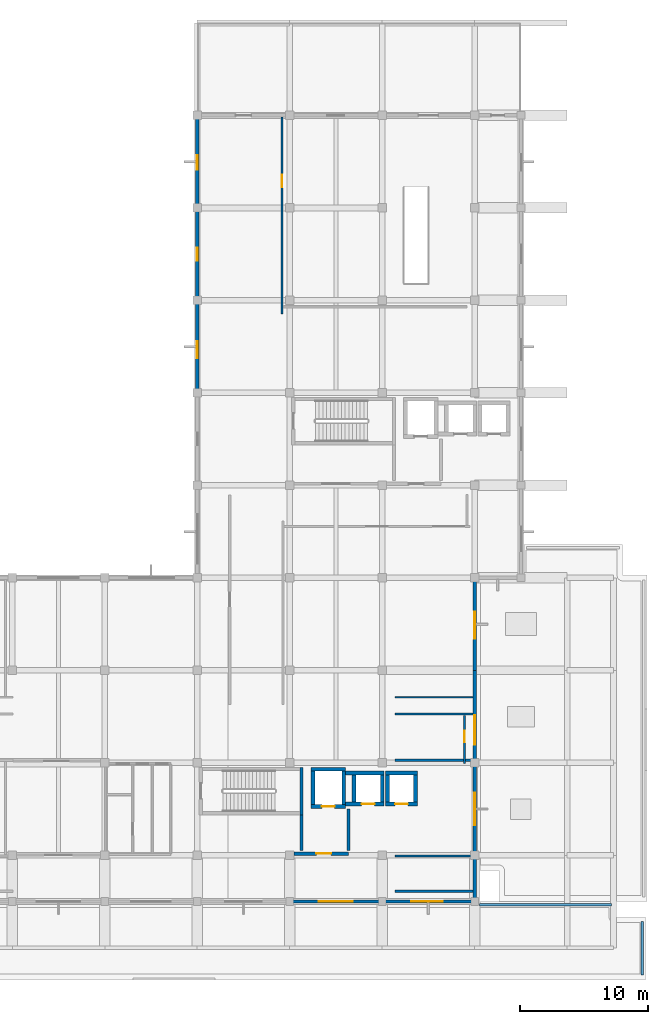
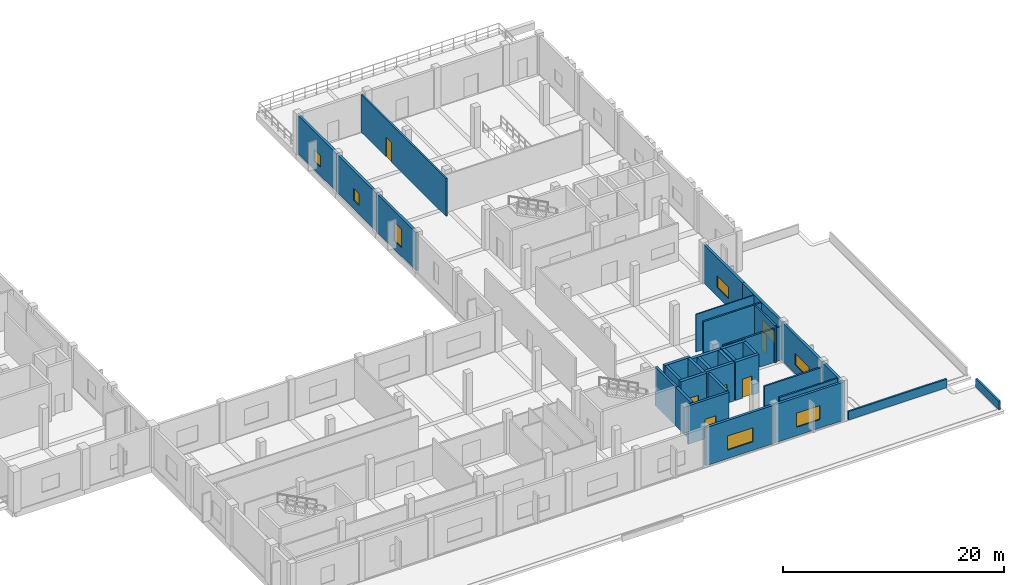
# One storey, part 7 of 16: 34 walls, 8 windows, 6 doors, 14 openings.
"""IFC4 building model written with IfcOpenShell, lengths in metres."""

import ifcopenshell
import ifcopenshell.guid

model = None  # the IFC model being written
_history = None  # IfcOwnerHistory: only IFC2X3 demands one
_inside = {}  # id of a spatial element -> (the spatial element, [elements in it])
_under = {}  # id of a project, library or spatial element -> (it, [spatial elements below it])
_declared = {}  # id of a project -> (the project, [libraries it declares])
_typed = {}  # id of a type object -> (the type object, [elements of that type])
_made_of = {}  # id of a material, layer set ... -> (it, [elements and type objects made of it])


def new_model(schema):
    """Start an empty IFC model of exactly this schema.

    Asked for "IFC4X3", IfcOpenShell would pick the latest addendum, in which some entities
    have other attributes; the version numbers below select the first issue.
    IFC2X3 requires an IfcOwnerHistory on every rooted entity: one is made here for all.
    """
    global model, _history
    if schema == "IFC4X3":
        model = ifcopenshell.file(schema_version=(4, 3, 0, 0))
    else:
        model = ifcopenshell.file(schema=schema)
    _inside.clear()
    _under.clear()
    _declared.clear()
    _typed.clear()
    _made_of.clear()
    _history = None
    if model.schema == "IFC2X3":
        org = make("IfcOrganization", Name="unknown")
        user = make(
            "IfcPersonAndOrganization",
            ThePerson=make("IfcPerson", FamilyName="unknown"),
            TheOrganization=org,
        )
        app = make(
            "IfcApplication",
            ApplicationDeveloper=org,
            Version="unknown",
            ApplicationFullName="unknown",
            ApplicationIdentifier="unknown",
        )
        _history = make(
            "IfcOwnerHistory",
            OwningUser=user,
            OwningApplication=app,
            ChangeAction="ADDED",
            CreationDate=0,
        )
    return model


def make(cls, **values):
    """One entity of the class cls with the attributes given. An attribute that is None is left unset."""
    return model.create_entity(
        cls, **{name: value for name, value in values.items() if value is not None}
    )


def rooted(cls, **values):
    """An entity with a GlobalId (a new one), such as an element, a storey or a relation."""
    return make(cls, GlobalId=ifcopenshell.guid.new(), OwnerHistory=_history, **values)


def si_unit(unit_type, name, prefix=None):
    """IfcSIUnit, for example si_unit("LENGTHUNIT", "METRE", prefix="MILLI")."""
    return make("IfcSIUnit", UnitType=unit_type, Prefix=prefix, Name=name)


def assignment(units):
    """IfcUnitAssignment: the units of a project."""
    return None if units is None else make("IfcUnitAssignment", Units=units)


def point(xyz):
    """IfcCartesianPoint."""
    return None if xyz is None else make("IfcCartesianPoint", Coordinates=xyz)


def direction(xyz):
    """IfcDirection."""
    return None if xyz is None else make("IfcDirection", DirectionRatios=xyz)


def frame(location, z_axis=None, x_axis=None):
    """IfcAxis2Placement3D, a coordinate frame: its origin and axes. An axis left out is left unset."""
    return make(
        "IfcAxis2Placement3D",
        Location=point(location),
        Axis=direction(z_axis),
        RefDirection=direction(x_axis),
    )


def frame_2d(location, x_axis=None):
    """IfcAxis2Placement2D, a coordinate frame in the plane: its origin and x axis."""
    return make(
        "IfcAxis2Placement2D", Location=point(location), RefDirection=direction(x_axis)
    )


def origin():
    """The frame at (0, 0, 0) with its axes left unset."""
    return frame((0.0, 0.0, 0.0))


def place(relative_to, where):
    """IfcLocalPlacement: puts the frame where relative to a parent placement (None: the world)."""
    return make(
        "IfcLocalPlacement", PlacementRelTo=relative_to, RelativePlacement=where
    )


def context(
    kind, dimensions, precision=None, world=None, true_north=None, identifier=None
):
    """IfcGeometricRepresentationContext, for example the 3D "Model" context."""
    return make(
        "IfcGeometricRepresentationContext",
        ContextIdentifier=identifier,
        ContextType=kind,
        CoordinateSpaceDimension=dimensions,
        Precision=precision,
        WorldCoordinateSystem=world,
        TrueNorth=true_north,
    )


def subcontext(parent, identifier, kind, view, scale=None):
    """IfcGeometricRepresentationSubContext, for example "Body" below "Model"."""
    return make(
        "IfcGeometricRepresentationSubContext",
        ContextIdentifier=identifier,
        ContextType=kind,
        ParentContext=parent,
        TargetScale=scale,
        TargetView=view,
    )


def project(units=None, contexts=None):
    """IfcProject with its units and contexts."""
    return rooted(
        "IfcProject",
        Name="project",
        RepresentationContexts=contexts,
        UnitsInContext=assignment(units),
    )


def spatial(cls, under=None, at=None, **own):
    """A site, building, storey or space (cls), placed at a placement, below another one or the project."""
    s = rooted(cls, ObjectPlacement=at, **own)
    if under is not None:
        _under.setdefault(under.id(), (under, []))[1].append(s)
    return s


def profile(cls, at=None, kind="AREA", **sizes):
    """A parametric profile (cls). Its sizes go by their IFC names, for example OverallWidth=200.0."""
    return make(cls, ProfileType=kind, Position=at, **sizes)


def rectangle(**sizes):
    """IfcRectangleProfileDef."""
    return profile("IfcRectangleProfileDef", **sizes)


def extrude(swept, where, along, depth):
    """IfcExtrudedAreaSolid: the profile swept, set in the frame where, extruded along a direction by depth."""
    return make(
        "IfcExtrudedAreaSolid",
        SweptArea=swept,
        Position=where,
        ExtrudedDirection=direction(along),
        Depth=depth,
    )


def shape(context_of_items, identifier, shape_type, items):
    """IfcShapeRepresentation: the items that make up one representation, for example the "Body"."""
    return make(
        "IfcShapeRepresentation",
        ContextOfItems=context_of_items,
        RepresentationIdentifier=identifier,
        RepresentationType=shape_type,
        Items=items,
    )


def material(Name=None, Category=None):
    """IfcMaterial."""
    return make("IfcMaterial", Name=Name, Category=Category)


def layer(
    of_material, thickness, ventilated=None, Name=None, Category=None, Priority=None
):
    """IfcMaterialLayer: one layer of a wall or slab, of a material (None: an air gap)."""
    return make(
        "IfcMaterialLayer",
        Material=of_material,
        LayerThickness=thickness,
        IsVentilated=ventilated,
        Name=Name,
        Category=Category,
        Priority=Priority,
    )


def layer_set(layers, Name=None):
    """IfcMaterialLayerSet."""
    return make("IfcMaterialLayerSet", MaterialLayers=layers, LayerSetName=Name)


def made_of(thing, what):
    """Note that an element or type object is made of a material, layer set ...; save() writes the relation."""
    if what is not None:
        _made_of.setdefault(what.id(), (what, []))[1].append(thing)
    return thing


def type_object(cls, material=None, **own):
    """A type object (cls), such as IfcWallType, which elements share."""
    return made_of(rooted(cls, **own), material)


def element(
    cls,
    number,
    at=None,
    inside=None,
    cuts=None,
    type_object=None,
    material=None,
    context=None,
    identifier="Body",
    shape_type=None,
    held_by="IfcProductDefinitionShape",
    body=None,
    shapes=None,
    **own,
):
    """One element of the class cls, such as IfcWall. Its Tag is "e" and its number.

    at: its placement. inside: the storey or other place that contains it. cuts: it is an
    opening in that element (IfcRelVoidsElement). A single representation is given by context,
    identifier, shape_type and body (its items); several are given by shapes. held_by: the class
    of the entity that holds the representations. save() writes the other relations.
    """
    e = rooted(cls, Tag="e%d" % number, ObjectPlacement=at, **own)
    if body is not None:
        shapes = [shape(context, identifier, shape_type, body)]
    if shapes is not None:
        e.Representation = make(held_by, Representations=shapes)
    if inside is not None:
        _inside.setdefault(inside.id(), (inside, []))[1].append(e)
    if cuts is not None:
        rooted(
            "IfcRelVoidsElement", RelatingBuildingElement=cuts, RelatedOpeningElement=e
        )
    if type_object is not None:
        _typed.setdefault(type_object.id(), (type_object, []))[1].append(e)
    return made_of(e, material)


def fill(opening, filler):
    """IfcRelFillsElement: the door or window that sits in an opening."""
    return rooted(
        "IfcRelFillsElement",
        RelatingOpeningElement=opening,
        RelatedBuildingElement=filler,
    )


def aggregate(whole, parts):
    """IfcRelAggregates: a whole, such as a stair, and the parts it consists of."""
    return rooted("IfcRelAggregates", RelatingObject=whole, RelatedObjects=parts)


def save(model, path):
    """Write the relations noted so far, then the file.

    IfcRelAggregates (storeys below a building ...), IfcRelContainedInSpatialStructure (elements
    in a storey), IfcRelDefinesByType, IfcRelAssociatesMaterial and IfcRelDeclares: one each for
    every whole, place, type object, material and project.
    """
    for whole, parts in _under.values():
        aggregate(whole, parts)
    for where, things in _inside.values():
        rooted(
            "IfcRelContainedInSpatialStructure",
            RelatedElements=things,
            RelatingStructure=where,
        )
    for kind, things in _typed.values():
        rooted("IfcRelDefinesByType", RelatedObjects=things, RelatingType=kind)
    for what, things in _made_of.values():
        rooted("IfcRelAssociatesMaterial", RelatedObjects=things, RelatingMaterial=what)
    for by, libraries in _declared.values():
        rooted("IfcRelDeclares", RelatingContext=by, RelatedDefinitions=libraries)
    model.write(path)


model = new_model("IFC4")

# Units and contexts
model_context = context("Model", 3, precision=1e-05, world=origin(), true_north=direction((0.0, 1.0)))
body_context = subcontext(model_context, "Body", "Model", "MODEL_VIEW")
ifc_project = project(units=[si_unit("LENGTHUNIT", "METRE"), si_unit("AREAUNIT", "SQUARE_METRE"), si_unit("VOLUMEUNIT", "CUBIC_METRE"), si_unit("PLANEANGLEUNIT", "RADIAN"), si_unit("MASSUNIT", "GRAM", prefix="KILO")], contexts=[model_context])

# Site, building, storey
site_placement = place(None, origin())
site = spatial("IfcSite", under=ifc_project, at=site_placement, CompositionType="ELEMENT")
building_placement = place(site_placement, origin())
building = spatial("IfcBuilding", under=site, at=building_placement, Name="Seraya Terrace Polytechnic", CompositionType="ELEMENT")
storey_placement = place(building_placement, frame((0.0, 0.0, 23.39990234375)))
storey = spatial("IfcBuildingStorey", under=building, at=storey_placement, Name="L05", CompositionType="ELEMENT", Elevation=23.39990234375)

# Wall, opening, window
ifc_material_1 = material(Name="Precast concrete C40/50", Category="concrete")
ifc_layer_1 = layer(ifc_material_1, 0.260009765625, Name="EW-03")
ifc_layer_set_1 = layer_set([ifc_layer_1], Name="Precast concrete C40/50")
wall_type_1 = type_object("IfcWallType", Name="EW-03", PredefinedType="SOLIDWALL", material=ifc_layer_set_1)
wall_1_placement = place(storey_placement, frame((100.949951171875, 3.60009765625, 0.0), z_axis=(0.0, 0.0, 1.0), x_axis=(-1.0, 0.0, 0.0)))
wall_1 = element("IfcWall", 1, at=wall_1_placement, inside=storey, type_object=wall_type_1, Name="Exterior structural wall EW-03 L05", PredefinedType="SOLIDWALL", context=body_context, shape_type="SweptSolid", body=[
    extrude(rectangle(XDim=7.349853515625, YDim=0.260009765625, at=frame_2d((3.6748046875, 0.0))), origin(), (0.0, 0.0, 1.0), 4.22021484375),
])
opening_1_placement = place(wall_1_placement, frame((2.625, 0.0, 0.949951171875)))
opening_1 = element("IfcOpeningElement", 2, at=opening_1_placement, cuts=wall_1, Name="Opening WN-21", PredefinedType="OPENING", context=body_context, shape_type="SweptSolid", body=[
    extrude(rectangle(XDim=2.449951171875, YDim=1.550048828125, at=frame_2d((1.22509765625, 0.77490234375))), frame((0.0, 0.14208984375, 0.0), z_axis=(0.0, -1.0, 0.0), x_axis=(1.0, 0.0, 0.0)), (0.0, 0.0, 1.0), 0.283935546875),
])
ifc_material_2 = material(Name="Laminated solar-control Low-E double glazing", Category="glass")
window_type_1 = type_object("IfcWindowType", Name="WN-21", PartitioningType="SINGLE_PANEL", PredefinedType="WINDOW", material=ifc_material_2)
window_1_placement = place(opening_1_placement, origin())
window_1 = element("IfcWindow", 3, at=window_1_placement, inside=storey, type_object=window_type_1, Name="Exterior window WN-21 L05", OverallHeight=1.550048828125, OverallWidth=2.449951171875, PartitioningType="SINGLE_PANEL", PredefinedType="WINDOW", context=body_context, shape_type="SweptSolid", body=[
    extrude(rectangle(XDim=2.449951171875, YDim=1.550048828125, at=frame_2d((1.22509765625, 0.77490234375))), frame((0.0, 0.030029296875, 0.0), z_axis=(0.0, -1.0, 0.0), x_axis=(1.0, 0.0, 0.0)), (0.0, 0.0, 1.0), 0.06005859375),
])
fill(opening_1, window_1)

wall_2_placement = place(storey_placement, frame((93.60009765625, 3.60009765625, 0.0), z_axis=(0.0, 0.0, 1.0), x_axis=(-1.0, 0.0, 0.0)))
wall_2 = element("IfcWall", 4, at=wall_2_placement, inside=storey, type_object=wall_type_1, Name="Exterior structural wall EW-03 L05", PredefinedType="SOLIDWALL", context=body_context, shape_type="SweptSolid", body=[
    extrude(rectangle(XDim=7.2001953125, YDim=0.260009765625, at=frame_2d((3.60009765625, 0.0))), origin(), (0.0, 0.0, 1.0), 4.22021484375),
])
opening_2_placement = place(wall_2_placement, frame((2.27490234375, 0.0, 0.949951171875)))
opening_2 = element("IfcOpeningElement", 5, at=opening_2_placement, cuts=wall_2, Name="Opening WN-22", PredefinedType="OPENING", context=body_context, shape_type="SweptSolid", body=[
    extrude(rectangle(XDim=2.64990234375, YDim=1.550048828125, at=frame_2d((1.324951171875, 0.77490234375))), frame((0.0, 0.14208984375, 0.0), z_axis=(0.0, -1.0, 0.0), x_axis=(1.0, 0.0, 0.0)), (0.0, 0.0, 1.0), 0.283935546875),
])
window_type_2 = type_object("IfcWindowType", Name="WN-22", PartitioningType="SINGLE_PANEL", PredefinedType="WINDOW", material=ifc_material_2)
window_2_placement = place(opening_2_placement, origin())
window_2 = element("IfcWindow", 6, at=window_2_placement, inside=storey, type_object=window_type_2, Name="Exterior window WN-22 L05", OverallHeight=1.550048828125, OverallWidth=2.64990234375, PartitioningType="SINGLE_PANEL", PredefinedType="WINDOW", context=body_context, shape_type="SweptSolid", body=[
    extrude(rectangle(XDim=2.64990234375, YDim=1.550048828125, at=frame_2d((1.324951171875, 0.77490234375))), frame((0.0, 0.030029296875, 0.0), z_axis=(0.0, -1.0, 0.0), x_axis=(1.0, 0.0, 0.0)), (0.0, 0.0, 1.0), 0.06005859375),
])
fill(opening_2, window_2)

wall_3_placement = place(storey_placement, frame((79.199951171875, 43.199951171875, 0.0), z_axis=(0.0, 0.0, 1.0), x_axis=(0.0, 1.0, 0.0)))
wall_3 = element("IfcWall", 7, at=wall_3_placement, inside=storey, type_object=wall_type_1, Name="Exterior structural wall EW-03 L05", PredefinedType="SOLIDWALL", context=body_context, shape_type="SweptSolid", body=[
    extrude(rectangle(XDim=7.199951171875, YDim=0.260009765625, at=frame_2d((3.60009765625, 0.0))), origin(), (0.0, 0.0, 1.0), 4.22021484375),
])
opening_3_placement = place(wall_3_placement, frame((2.679931640625, 0.0, 0.949951171875)))
opening_3 = element("IfcOpeningElement", 8, at=opening_3_placement, cuts=wall_3, Name="Opening WN-38", PredefinedType="OPENING", context=body_context, shape_type="SweptSolid", body=[
    extrude(rectangle(XDim=1.35009765625, YDim=2.050048828125, at=frame_2d((0.675048828125, 1.02490234375))), frame((0.0, 0.14208984375, 0.0), z_axis=(0.0, -1.0, 0.0), x_axis=(1.0, 0.0, 0.0)), (0.0, 0.0, 1.0), 0.283935546875),
])
window_type_3 = type_object("IfcWindowType", Name="WN-38", PartitioningType="SINGLE_PANEL", PredefinedType="WINDOW", material=ifc_material_2)
window_3_placement = place(opening_3_placement, origin())
window_3 = element("IfcWindow", 9, at=window_3_placement, inside=storey, type_object=window_type_3, Name="Exterior window WN-38 L05", OverallHeight=2.050048828125, OverallWidth=1.35009765625, PartitioningType="SINGLE_PANEL", PredefinedType="WINDOW", context=body_context, shape_type="SweptSolid", body=[
    extrude(rectangle(XDim=1.35009765625, YDim=2.050048828125, at=frame_2d((0.675048828125, 1.02490234375))), frame((0.0, 0.030029296875, 0.0), z_axis=(0.0, -1.0, 0.0), x_axis=(1.0, 0.0, 0.0)), (0.0, 0.0, 1.0), 0.06005859375),
])
fill(opening_3, window_3)

wall_4_placement = place(storey_placement, frame((79.199951171875, 50.39990234375, 0.0), z_axis=(0.0, 0.0, 1.0), x_axis=(0.0, 1.0, 0.0)))
wall_4 = element("IfcWall", 10, at=wall_4_placement, inside=storey, type_object=wall_type_1, Name="Exterior structural wall EW-03 L05", PredefinedType="SOLIDWALL", context=body_context, shape_type="SweptSolid", body=[
    extrude(rectangle(XDim=7.2001953125, YDim=0.260009765625, at=frame_2d((3.60009765625, 0.0))), origin(), (0.0, 0.0, 1.0), 4.22021484375),
])
opening_4_placement = place(wall_4_placement, frame((3.10009765625, 0.0, 0.949951171875)))
opening_4 = element("IfcOpeningElement", 11, at=opening_4_placement, cuts=wall_4, Name="Opening WN-01", PredefinedType="OPENING", context=body_context, shape_type="SweptSolid", body=[
    extrude(rectangle(XDim=1.0, YDim=1.300048828125, at=frame_2d((0.5, 0.64990234375))), frame((0.0, 0.14208984375, 0.0), z_axis=(0.0, -1.0, 0.0), x_axis=(1.0, 0.0, 0.0)), (0.0, 0.0, 1.0), 0.283935546875),
])
window_type_4 = type_object("IfcWindowType", Name="WN-01", PartitioningType="SINGLE_PANEL", PredefinedType="WINDOW", material=ifc_material_2)
window_4_placement = place(opening_4_placement, origin())
window_4 = element("IfcWindow", 12, at=window_4_placement, inside=storey, type_object=window_type_4, Name="Exterior window WN-01 L05", OverallHeight=1.300048828125, OverallWidth=1.0, PartitioningType="SINGLE_PANEL", PredefinedType="WINDOW", context=body_context, shape_type="SweptSolid", body=[
    extrude(rectangle(XDim=1.0, YDim=1.300048828125, at=frame_2d((0.5, 0.64990234375))), frame((0.0, 0.030029296875, 0.0), z_axis=(0.0, -1.0, 0.0), x_axis=(1.0, 0.0, 0.0)), (0.0, 0.0, 1.0), 0.06005859375),
])
fill(opening_4, window_4)

wall_5_placement = place(storey_placement, frame((79.199951171875, 57.60009765625, 0.0), z_axis=(0.0, 0.0, 1.0), x_axis=(0.0, 1.0, 0.0)))
wall_5 = element("IfcWall", 13, at=wall_5_placement, inside=storey, type_object=wall_type_1, Name="Exterior structural wall EW-03 L05", PredefinedType="SOLIDWALL", context=body_context, shape_type="SweptSolid", body=[
    extrude(rectangle(XDim=7.0478515625, YDim=0.260009765625, at=frame_2d((3.52392578125, 0.0))), origin(), (0.0, 0.0, 1.0), 4.22021484375),
])
opening_5_placement = place(wall_5_placement, frame((2.948974609375, 0.0, 0.949951171875)))
opening_5 = element("IfcOpeningElement", 14, at=opening_5_placement, cuts=wall_5, Name="Opening WN-02", PredefinedType="OPENING", context=body_context, shape_type="SweptSolid", body=[
    extrude(rectangle(XDim=1.14990234375, YDim=1.300048828125, at=frame_2d((0.574951171875, 0.64990234375))), frame((0.0, 0.14208984375, 0.0), z_axis=(0.0, -1.0, 0.0), x_axis=(1.0, 0.0, 0.0)), (0.0, 0.0, 1.0), 0.283935546875),
])
window_type_5 = type_object("IfcWindowType", Name="WN-02", PartitioningType="SINGLE_PANEL", PredefinedType="WINDOW", material=ifc_material_2)
window_5_placement = place(opening_5_placement, origin())
window_5 = element("IfcWindow", 15, at=window_5_placement, inside=storey, type_object=window_type_5, Name="Exterior window WN-02 L05", OverallHeight=1.300048828125, OverallWidth=1.14990234375, PartitioningType="SINGLE_PANEL", PredefinedType="WINDOW", context=body_context, shape_type="SweptSolid", body=[
    extrude(rectangle(XDim=1.14990234375, YDim=1.300048828125, at=frame_2d((0.574951171875, 0.64990234375))), frame((0.0, 0.030029296875, 0.0), z_axis=(0.0, -1.0, 0.0), x_axis=(1.0, 0.0, 0.0)), (0.0, 0.0, 1.0), 0.06005859375),
])
fill(opening_5, window_5)

wall_6_placement = place(storey_placement, frame((100.800048828125, 28.64794921875, 0.0), z_axis=(0.0, 0.0, 1.0), x_axis=(0.0, -1.0, 0.0)))
wall_6 = element("IfcWall", 16, at=wall_6_placement, inside=storey, type_object=wall_type_1, Name="Exterior structural wall EW-03 L05", PredefinedType="SOLIDWALL", context=body_context, shape_type="SweptSolid", body=[
    extrude(rectangle(XDim=7.0478515625, YDim=0.260009765625, at=frame_2d((3.52392578125, 0.0))), origin(), (0.0, 0.0, 1.0), 4.22021484375),
])
opening_6_placement = place(wall_6_placement, frame((2.47412109375, 0.0, 0.949951171875)))
opening_6 = element("IfcOpeningElement", 17, at=opening_6_placement, cuts=wall_6, Name="Opening WN-08", PredefinedType="OPENING", context=body_context, shape_type="SweptSolid", body=[
    extrude(rectangle(XDim=2.10009765625, YDim=1.300048828125, at=frame_2d((1.050048828125, 0.64990234375))), frame((0.0, 0.14208984375, 0.0), z_axis=(0.0, -1.0, 0.0), x_axis=(1.0, 0.0, 0.0)), (0.0, 0.0, 1.0), 0.283935546875),
])
window_type_6 = type_object("IfcWindowType", Name="WN-08", PartitioningType="SINGLE_PANEL", PredefinedType="WINDOW", material=ifc_material_2)
window_6_placement = place(opening_6_placement, origin())
window_6 = element("IfcWindow", 18, at=window_6_placement, inside=storey, type_object=window_type_6, Name="Exterior window WN-08 L05", OverallHeight=1.300048828125, OverallWidth=2.10009765625, PartitioningType="SINGLE_PANEL", PredefinedType="WINDOW", context=body_context, shape_type="SweptSolid", body=[
    extrude(rectangle(XDim=2.10009765625, YDim=1.300048828125, at=frame_2d((1.050048828125, 0.64990234375))), frame((0.0, 0.030029296875, 0.0), z_axis=(0.0, -1.0, 0.0), x_axis=(1.0, 0.0, 0.0)), (0.0, 0.0, 1.0), 0.06005859375),
])
fill(opening_6, window_6)

wall_7_placement = place(storey_placement, frame((100.800048828125, 21.60009765625, 0.0), z_axis=(0.0, 0.0, 1.0), x_axis=(0.0, -1.0, 0.0)))
wall_7 = element("IfcWall", 19, at=wall_7_placement, inside=storey, type_object=wall_type_1, Name="Exterior structural wall EW-03 L05", PredefinedType="SOLIDWALL", context=body_context, shape_type="SweptSolid", body=[
    extrude(rectangle(XDim=7.2001953125, YDim=0.260009765625, at=frame_2d((3.60009765625, 0.0))), origin(), (0.0, 0.0, 1.0), 4.22021484375),
])
opening_7_placement = place(wall_7_placement, frame((3.485107421875, 0.0, 0.949951171875)))
opening_7 = element("IfcOpeningElement", 20, at=opening_7_placement, cuts=wall_7, Name="Opening WN-09", PredefinedType="OPENING", context=body_context, shape_type="SweptSolid", body=[
    extrude(rectangle(XDim=2.300048828125, YDim=1.300048828125, at=frame_2d((1.14990234375, 0.64990234375))), frame((0.0, 0.14208984375, 0.0), z_axis=(0.0, -1.0, 0.0), x_axis=(1.0, 0.0, 0.0)), (0.0, 0.0, 1.0), 0.283935546875),
])
window_type_7 = type_object("IfcWindowType", Name="WN-09", PartitioningType="SINGLE_PANEL", PredefinedType="WINDOW", material=ifc_material_2)
window_7_placement = place(opening_7_placement, origin())
window_7 = element("IfcWindow", 21, at=window_7_placement, inside=storey, type_object=window_type_7, Name="Exterior window WN-09 L05", OverallHeight=1.300048828125, OverallWidth=2.300048828125, PartitioningType="SINGLE_PANEL", PredefinedType="WINDOW", context=body_context, shape_type="SweptSolid", body=[
    extrude(rectangle(XDim=2.300048828125, YDim=1.300048828125, at=frame_2d((1.14990234375, 0.64990234375))), frame((0.0, 0.030029296875, 0.0), z_axis=(0.0, -1.0, 0.0), x_axis=(1.0, 0.0, 0.0)), (0.0, 0.0, 1.0), 0.06005859375),
])
fill(opening_7, window_7)

wall_8_placement = place(storey_placement, frame((100.800048828125, 14.39990234375, 0.0), z_axis=(0.0, 0.0, 1.0), x_axis=(0.0, -1.0, 0.0)))
wall_8 = element("IfcWall", 22, at=wall_8_placement, inside=storey, type_object=wall_type_1, Name="Exterior structural wall EW-03 L05", PredefinedType="SOLIDWALL", context=body_context, shape_type="SweptSolid", body=[
    extrude(rectangle(XDim=7.199951171875, YDim=0.260009765625, at=frame_2d((3.60009765625, 0.0))), origin(), (0.0, 0.0, 1.0), 4.22021484375),
])
opening_8_placement = place(wall_8_placement, frame((2.35009765625, 0.0, 0.949951171875)))
opening_8 = element("IfcOpeningElement", 23, at=opening_8_placement, cuts=wall_8, Name="Opening WN-10", PredefinedType="OPENING", context=body_context, shape_type="SweptSolid", body=[
    extrude(rectangle(XDim=2.5, YDim=1.300048828125, at=frame_2d((1.25, 0.64990234375))), frame((0.0, 0.14208984375, 0.0), z_axis=(0.0, -1.0, 0.0), x_axis=(1.0, 0.0, 0.0)), (0.0, 0.0, 1.0), 0.283935546875),
])
window_type_8 = type_object("IfcWindowType", Name="WN-10", PartitioningType="SINGLE_PANEL", PredefinedType="WINDOW", material=ifc_material_2)
window_8_placement = place(opening_8_placement, origin())
window_8 = element("IfcWindow", 24, at=window_8_placement, inside=storey, type_object=window_type_8, Name="Exterior window WN-10 L05", OverallHeight=1.300048828125, OverallWidth=2.5, PartitioningType="SINGLE_PANEL", PredefinedType="WINDOW", context=body_context, shape_type="SweptSolid", body=[
    extrude(rectangle(XDim=2.5, YDim=1.300048828125, at=frame_2d((1.25, 0.64990234375))), frame((0.0, 0.030029296875, 0.0), z_axis=(0.0, -1.0, 0.0), x_axis=(1.0, 0.0, 0.0)), (0.0, 0.0, 1.0), 0.06005859375),
])
fill(opening_8, window_8)

# Walls
wall_9_placement = place(storey_placement, frame((100.800048828125, 7.199951171875, 0.0), z_axis=(0.0, 0.0, 1.0), x_axis=(0.0, -1.0, 0.0)))
element("IfcWall", 25, at=wall_9_placement, inside=storey, type_object=wall_type_1, Name="Exterior structural wall EW-03 L05", PredefinedType="SOLIDWALL", context=body_context, shape_type="SweptSolid", body=[
    extrude(rectangle(XDim=3.447998046875, YDim=0.260009765625, at=frame_2d((1.72412109375, 0.0))), origin(), (0.0, 0.0, 1.0), 4.22021484375),
])
ifc_material_3 = material(Name="Autoclaved aerated concrete blockwork", Category="masonry")
ifc_layer_2 = layer(ifc_material_3, 0.169921875, Name="PT-02")
ifc_layer_set_2 = layer_set([ifc_layer_2], Name="Autoclaved aerated concrete blockwork")
wall_type_2 = type_object("IfcWallType", Name="PT-02", PredefinedType="PARTITIONING", material=ifc_layer_set_2)
wall_10_placement = place(storey_placement, frame((94.58837890625, 18.199951171875, 0.0), z_axis=(0.0, 0.0, 1.0), x_axis=(1.0, 0.0, 0.0)))
element("IfcWall", 26, at=wall_10_placement, inside=storey, type_object=wall_type_2, Name="Internal partition PT-02 L05", PredefinedType="PARTITIONING", context=body_context, shape_type="SweptSolid", body=[
    extrude(rectangle(XDim=6.069580078125, YDim=0.169921875, at=frame_2d((3.03466796875, 0.0))), origin(), (0.0, 0.0, 1.0), 4.16015625),
])

# Wall, opening, door
wall_11_placement = place(storey_placement, frame((100.0, 14.360107421875, 0.0), z_axis=(0.0, 0.0, 1.0), x_axis=(0.0, 1.0, 0.0)))
wall_11 = element("IfcWall", 27, at=wall_11_placement, inside=storey, type_object=wall_type_2, Name="Internal partition PT-02 L05", PredefinedType="PARTITIONING", context=body_context, shape_type="SweptSolid", body=[
    extrude(rectangle(XDim=3.739990234375, YDim=0.169921875, at=frame_2d((1.8701171875, 0.0))), origin(), (0.0, 0.0, 1.0), 4.16015625),
])
opening_9_placement = place(wall_11_placement, frame((1.6201171875, 0.0, 0.0)))
opening_9 = element("IfcOpeningElement", 28, at=opening_9_placement, cuts=wall_11, Name="Opening ID-02", PredefinedType="OPENING", context=body_context, shape_type="SweptSolid", body=[
    extrude(rectangle(XDim=0.89990234375, YDim=2.080078125, at=frame_2d((0.449951171875, 1.0400390625))), frame((0.0, 0.096923828125, 0.0), z_axis=(0.0, -1.0, 0.0), x_axis=(1.0, 0.0, 0.0)), (0.0, 0.0, 1.0), 0.19384765625),
])
ifc_material_4 = material(Name="Malaysian dark red meranti hardwood timber D40", Category="wood")
door_type_1 = type_object("IfcDoorType", Name="ID-02", OperationType="NOTDEFINED", PredefinedType="DOOR", material=ifc_material_4)
door_1_placement = place(opening_9_placement, frame((0.89990234375, 0.0, 0.0), z_axis=(0.0, 0.0, 1.0), x_axis=(-1.0, 0.0, 0.0)))
door_1 = element("IfcDoor", 29, at=door_1_placement, inside=storey, type_object=door_type_1, Name="Door ID-02 DR-INT-L05-0259 in WL-INT-L05-0715", OperationType="SINGLE_SWING_RIGHT", OverallHeight=2.080078125, OverallWidth=0.89990234375, PredefinedType="DOOR", context=body_context, shape_type="SweptSolid", body=[
    extrude(rectangle(XDim=0.89990234375, YDim=2.080078125, at=frame_2d((0.449951171875, 1.0400390625))), frame((0.0, 0.02490234375, 0.0), z_axis=(0.0, -1.0, 0.0), x_axis=(1.0, 0.0, 0.0)), (0.0, 0.0, 1.0), 0.050048828125),
])
fill(opening_9, door_1)

# Walls
wall_12_placement = place(storey_placement, frame((94.58837890625, 14.60009765625, 0.0), z_axis=(0.0, 0.0, 1.0), x_axis=(1.0, 0.0, 0.0)))
element("IfcWall", 30, at=wall_12_placement, inside=storey, type_object=wall_type_2, Name="Internal partition PT-02 L05", PredefinedType="PARTITIONING", context=body_context, shape_type="SweptSolid", body=[
    extrude(rectangle(XDim=6.069580078125, YDim=0.169921875, at=frame_2d((3.03466796875, 0.0))), origin(), (0.0, 0.0, 1.0), 3.72998046875),
])
wall_13_placement = place(storey_placement, frame((94.58837890625, 4.39990234375, 0.0), z_axis=(0.0, 0.0, 1.0), x_axis=(1.0, 0.0, 0.0)))
element("IfcWall", 31, at=wall_13_placement, inside=storey, type_object=wall_type_2, Name="Internal partition PT-02 L05", PredefinedType="PARTITIONING", context=body_context, shape_type="SweptSolid", body=[
    extrude(rectangle(XDim=6.069580078125, YDim=0.169921875, at=frame_2d((3.03466796875, 0.0))), origin(), (0.0, 0.0, 1.0), 4.16015625),
])
wall_14_placement = place(storey_placement, frame((94.58837890625, 7.14990234375, 0.0), z_axis=(0.0, 0.0, 1.0), x_axis=(1.0, 0.0, 0.0)))
element("IfcWall", 32, at=wall_14_placement, inside=storey, type_object=wall_type_2, Name="Internal partition PT-02 L05", PredefinedType="PARTITIONING", context=body_context, shape_type="SweptSolid", body=[
    extrude(rectangle(XDim=6.069580078125, YDim=0.169921875, at=frame_2d((3.03466796875, 0.0))), origin(), (0.0, 0.0, 1.0), 3.72998046875),
])

# Wall, opening, door
wall_15_placement = place(storey_placement, frame((85.800048828125, 49.318603515625, 0.0), z_axis=(0.0, 0.0, 1.0), x_axis=(0.0, 1.0, 0.0)))
wall_15 = element("IfcWall", 33, at=wall_15_placement, inside=storey, type_object=wall_type_2, Name="Internal partition PT-02 L05", PredefinedType="PARTITIONING", context=body_context, shape_type="SweptSolid", body=[
    extrude(rectangle(XDim=15.33935546875, YDim=0.169921875, at=frame_2d((7.669677734375, 0.0))), origin(), (0.0, 0.0, 1.0), 4.16015625),
])
opening_10_placement = place(wall_15_placement, frame((9.870849609375, 0.0, 0.0)))
opening_10 = element("IfcOpeningElement", 34, at=opening_10_placement, cuts=wall_15, Name="Opening ID-03", PredefinedType="OPENING", context=body_context, shape_type="SweptSolid", body=[
    extrude(rectangle(XDim=0.97998046875, YDim=2.139892578125, at=frame_2d((0.489990234375, 1.06982421875))), frame((0.0, 0.096923828125, 0.0), z_axis=(0.0, -1.0, 0.0), x_axis=(1.0, 0.0, 0.0)), (0.0, 0.0, 1.0), 0.19384765625),
])
door_type_2 = type_object("IfcDoorType", Name="ID-03", OperationType="NOTDEFINED", PredefinedType="DOOR", material=ifc_material_4)
door_2_placement = place(opening_10_placement, origin())
door_2 = element("IfcDoor", 35, at=door_2_placement, inside=storey, type_object=door_type_2, Name="Door ID-03 DR-INT-L05-0256 in WL-INT-L05-0727", OperationType="SINGLE_SWING_LEFT", OverallHeight=2.139892578125, OverallWidth=0.97998046875, PredefinedType="DOOR", context=body_context, shape_type="SweptSolid", body=[
    extrude(rectangle(XDim=0.97998046875, YDim=2.139892578125, at=frame_2d((0.489990234375, 1.06982421875))), frame((0.0, 0.02490234375, 0.0), z_axis=(0.0, -1.0, 0.0), x_axis=(1.0, 0.0, 0.0)), (0.0, 0.0, 1.0), 0.050048828125),
])
fill(opening_10, door_2)

# Walls
ifc_layer_3 = layer(ifc_material_3, 0.10009765625, Name="PT-06")
ifc_layer_set_3 = layer_set([ifc_layer_3], Name="Autoclaved aerated concrete blockwork")
wall_type_3 = type_object("IfcWallType", Name="PT-06", PredefinedType="PARTITIONING", material=ifc_layer_set_3)
wall_16_placement = place(storey_placement, frame((94.60009765625, 19.510009765625, 0.0), z_axis=(0.0, 0.0, 1.0), x_axis=(1.0, 0.0, 0.0)))
element("IfcWall", 36, at=wall_16_placement, inside=storey, type_object=wall_type_3, Name="Internal partition PT-06 L05", PredefinedType="PARTITIONING", context=body_context, shape_type="SweptSolid", body=[
    extrude(rectangle(XDim=6.057861328125, YDim=0.10009765625, at=frame_2d((3.02880859375, 0.0))), origin(), (0.0, 0.0, 1.0), 4.16015625),
])
ifc_layer_4 = layer(ifc_material_1, 0.179931640625, Name="PW-P2")
ifc_layer_set_4 = layer_set([ifc_layer_4], Name="Precast concrete C40/50")
wall_type_4 = type_object("IfcWallType", Name="PW-P2", PredefinedType="PARAPET", material=ifc_layer_set_4)
wall_17_placement = place(storey_placement, frame((101.17431640625, 3.35009765625, 0.0), z_axis=(0.0, 0.0, 1.0), x_axis=(1.0, 0.0, 0.0)))
element("IfcWall", 37, at=wall_17_placement, inside=storey, type_object=wall_type_4, Name="Roof parapet ROOF-L05-SOUTH 7.1", PredefinedType="PARAPET", context=body_context, shape_type="SweptSolid", body=[
    extrude(rectangle(XDim=10.275634765625, YDim=0.179931640625, at=frame_2d((5.1376953125, 0.0))), origin(), (0.0, 0.0, 1.0), 0.9501953125),
])
wall_18_placement = place(storey_placement, frame((113.85009765625, 2.0400390625, 0.0), z_axis=(0.0, 0.0, 1.0), x_axis=(0.0, -1.0, 0.0)))
element("IfcWall", 38, at=wall_18_placement, inside=storey, type_object=wall_type_4, Name="Roof parapet ROOF-L05-SOUTH 13.1", PredefinedType="PARAPET", context=body_context, shape_type="SweptSolid", body=[
    extrude(rectangle(XDim=4.179931640625, YDim=0.179931640625, at=frame_2d((2.08984375, 0.0))), origin(), (0.0, 0.0, 1.0), 0.9501953125),
])

# Wall, opening, door
ifc_material_5 = material(Name="Concrete C40/50", Category="concrete")
ifc_layer_5 = layer(ifc_material_5, 0.300048828125, Name="SW-01")
ifc_layer_set_5 = layer_set([ifc_layer_5], Name="Concrete C40/50")
wall_type_5 = type_object("IfcWallType", Name="SW-01", PredefinedType="SHEAR", material=ifc_layer_set_5)
wall_19_placement = place(storey_placement, frame((88.050048828125, 11.0, 0.0), z_axis=(0.0, 0.0, 1.0), x_axis=(1.0, 0.0, 0.0)))
wall_19 = element("IfcWall", 39, at=wall_19_placement, inside=storey, type_object=wall_type_5, Name="Lift shaft FL-01 South wall L05", PredefinedType="SHEAR", context=body_context, shape_type="SweptSolid", body=[
    extrude(rectangle(XDim=2.699951171875, YDim=0.300048828125, at=frame_2d((1.35009765625, 0.0))), origin(), (0.0, 0.0, 1.0), 4.25),
])
opening_11_placement = place(wall_19_placement, frame((0.85009765625, 0.0, 0.0)))
opening_11 = element("IfcOpeningElement", 40, at=opening_11_placement, cuts=wall_19, Name="Opening LD-01", PredefinedType="OPENING", context=body_context, shape_type="SweptSolid", body=[
    extrude(rectangle(XDim=1.0, YDim=2.10009765625, at=frame_2d((0.5, 1.050048828125))), frame((0.0, 0.162109375, 0.0), z_axis=(0.0, -1.0, 0.0), x_axis=(1.0, 0.0, 0.0)), (0.0, 0.0, 1.0), 0.323974609375),
])
ifc_material_6 = material(Name="Steel S355J2", Category="steel")
door_type_3 = type_object("IfcDoorType", Name="LD-01", OperationType="SLIDING_TO_LEFT", PredefinedType="DOOR", material=ifc_material_6)
door_3_placement = place(opening_11_placement, frame((1.0, 0.0, 0.0), z_axis=(0.0, 0.0, 1.0), x_axis=(-1.0, 0.0, 0.0)))
door_3 = element("IfcDoor", 41, at=door_3_placement, inside=storey, type_object=door_type_3, Name="Door LD-01 LD-FL-01-L05 in WL-SHF-FL-01-L05-S", OperationType="SLIDING_TO_LEFT", OverallHeight=2.10009765625, OverallWidth=1.0, PredefinedType="DOOR", context=body_context, shape_type="SweptSolid", body=[
    extrude(rectangle(XDim=1.0, YDim=2.10009765625, at=frame_2d((0.5, 1.050048828125))), frame((0.0, 0.02490234375, 0.0), z_axis=(0.0, -1.0, 0.0), x_axis=(1.0, 0.0, 0.0)), (0.0, 0.0, 1.0), 0.050048828125),
])
fill(opening_11, door_3)

# Walls
wall_20_placement = place(storey_placement, frame((88.050048828125, 13.89990234375, 0.0), z_axis=(0.0, 0.0, 1.0), x_axis=(1.0, 0.0, 0.0)))
element("IfcWall", 42, at=wall_20_placement, inside=storey, type_object=wall_type_5, Name="Lift shaft FL-01 North wall L05", PredefinedType="SHEAR", context=body_context, shape_type="SweptSolid", body=[
    extrude(rectangle(XDim=2.699951171875, YDim=0.300048828125, at=frame_2d((1.35009765625, 0.0))), origin(), (0.0, 0.0, 1.0), 4.25),
])
for number, where, z_axis, x_axis, name in (
    (43, (88.199951171875, 11.14990234375, 0.0), (0.0, 0.0, 1.0), (0.0, 1.0, 0.0), "Lift shaft FL-01 West wall L05"),
    (44, (90.60009765625, 11.14990234375, 0.0), (0.0, 0.0, 1.0), (0.0, 1.0, 0.0), "Lift shaft FL-01 East wall L05"),
):
    element("IfcWall", number, at=place(storey_placement, frame(where, z_axis=z_axis, x_axis=x_axis)), inside=storey, type_object=wall_type_5, Name=name, PredefinedType="SHEAR", context=body_context, shape_type="SweptSolid", body=[
        extrude(rectangle(XDim=2.60009765625, YDim=0.300048828125, at=frame_2d((1.300048828125, 0.0))), origin(), (0.0, 0.0, 1.0), 4.25),
    ])

# Wall, opening, door
wall_21_placement = place(storey_placement, frame((90.75, 11.199951171875, 0.0), z_axis=(0.0, 0.0, 1.0), x_axis=(1.0, 0.0, 0.0)))
wall_21 = element("IfcWall", 45, at=wall_21_placement, inside=storey, type_object=wall_type_5, Name="Lift shaft PL-01 South wall L05", PredefinedType="SHEAR", context=body_context, shape_type="SweptSolid", body=[
    extrude(rectangle(XDim=3.0, YDim=0.300048828125, at=frame_2d((1.5, 0.0))), origin(), (0.0, 0.0, 1.0), 4.25),
])
opening_12_placement = place(wall_21_placement, frame((1.25, 0.0, 0.0)))
opening_12 = element("IfcOpeningElement", 46, at=opening_12_placement, cuts=wall_21, Name="Opening LD-01", PredefinedType="OPENING", context=body_context, shape_type="SweptSolid", body=[
    extrude(rectangle(XDim=1.0, YDim=2.10009765625, at=frame_2d((0.5, 1.050048828125))), frame((0.0, 0.162109375, 0.0), z_axis=(0.0, -1.0, 0.0), x_axis=(1.0, 0.0, 0.0)), (0.0, 0.0, 1.0), 0.323974609375),
])
door_4_placement = place(opening_12_placement, frame((1.0, 0.0, 0.0), z_axis=(0.0, 0.0, 1.0), x_axis=(-1.0, 0.0, 0.0)))
door_4 = element("IfcDoor", 47, at=door_4_placement, inside=storey, type_object=door_type_3, Name="Door LD-01 LD-PL-01-L05 in WL-SHF-PL-01-L05-S", OperationType="SLIDING_TO_RIGHT", OverallHeight=2.10009765625, OverallWidth=1.0, PredefinedType="DOOR", context=body_context, shape_type="SweptSolid", body=[
    extrude(rectangle(XDim=1.0, YDim=2.10009765625, at=frame_2d((0.5, 1.050048828125))), frame((0.0, 0.02490234375, 0.0), z_axis=(0.0, -1.0, 0.0), x_axis=(1.0, 0.0, 0.0)), (0.0, 0.0, 1.0), 0.050048828125),
])
fill(opening_12, door_4)

# Walls
wall_22_placement = place(storey_placement, frame((90.75, 13.60009765625, 0.0), z_axis=(0.0, 0.0, 1.0), x_axis=(1.0, 0.0, 0.0)))
element("IfcWall", 48, at=wall_22_placement, inside=storey, type_object=wall_type_5, Name="Lift shaft PL-01 North wall L05", PredefinedType="SHEAR", context=body_context, shape_type="SweptSolid", body=[
    extrude(rectangle(XDim=3.0, YDim=0.300048828125, at=frame_2d((1.5, 0.0))), origin(), (0.0, 0.0, 1.0), 4.25),
])
for number, where, z_axis, x_axis, name in (
    (49, (91.39990234375, 11.35009765625, 0.0), (0.0, 0.0, 1.0), (0.0, 1.0, 0.0), "Lift shaft PL-01 West wall L05"),
    (50, (93.60009765625, 11.35009765625, 0.0), (0.0, 0.0, 1.0), (0.0, 1.0, 0.0), "Lift shaft PL-01 East wall L05"),
):
    element("IfcWall", number, at=place(storey_placement, frame(where, z_axis=z_axis, x_axis=x_axis)), inside=storey, type_object=wall_type_5, Name=name, PredefinedType="SHEAR", context=body_context, shape_type="SweptSolid", body=[
        extrude(rectangle(XDim=2.099853515625, YDim=0.300048828125, at=frame_2d((1.0498046875, 0.0))), origin(), (0.0, 0.0, 1.0), 4.25),
    ])

# Wall, opening, door
wall_23_placement = place(storey_placement, frame((93.85009765625, 11.199951171875, 0.0), z_axis=(0.0, 0.0, 1.0), x_axis=(1.0, 0.0, 0.0)))
wall_23 = element("IfcWall", 51, at=wall_23_placement, inside=storey, type_object=wall_type_5, Name="Lift shaft PL-02 South wall L05", PredefinedType="SHEAR", context=body_context, shape_type="SweptSolid", body=[
    extrude(rectangle(XDim=2.5, YDim=0.300048828125, at=frame_2d((1.25, 0.0))), origin(), (0.0, 0.0, 1.0), 4.25),
])
opening_13_placement = place(wall_23_placement, frame((0.75, 0.0, 0.0)))
opening_13 = element("IfcOpeningElement", 52, at=opening_13_placement, cuts=wall_23, Name="Opening LD-01", PredefinedType="OPENING", context=body_context, shape_type="SweptSolid", body=[
    extrude(rectangle(XDim=1.0, YDim=2.10009765625, at=frame_2d((0.5, 1.050048828125))), frame((0.0, 0.162109375, 0.0), z_axis=(0.0, -1.0, 0.0), x_axis=(1.0, 0.0, 0.0)), (0.0, 0.0, 1.0), 0.323974609375),
])
door_5_placement = place(opening_13_placement, frame((1.0, 0.0, 0.0), z_axis=(0.0, 0.0, 1.0), x_axis=(-1.0, 0.0, 0.0)))
door_5 = element("IfcDoor", 53, at=door_5_placement, inside=storey, type_object=door_type_3, Name="Door LD-01 LD-PL-02-L05 in WL-SHF-PL-02-L05-S", OperationType="SLIDING_TO_LEFT", OverallHeight=2.10009765625, OverallWidth=1.0, PredefinedType="DOOR", context=body_context, shape_type="SweptSolid", body=[
    extrude(rectangle(XDim=1.0, YDim=2.10009765625, at=frame_2d((0.5, 1.050048828125))), frame((0.0, 0.02490234375, 0.0), z_axis=(0.0, -1.0, 0.0), x_axis=(1.0, 0.0, 0.0)), (0.0, 0.0, 1.0), 0.050048828125),
])
fill(opening_13, door_5)

# Walls
wall_24_placement = place(storey_placement, frame((93.85009765625, 13.60009765625, 0.0), z_axis=(0.0, 0.0, 1.0), x_axis=(1.0, 0.0, 0.0)))
element("IfcWall", 54, at=wall_24_placement, inside=storey, type_object=wall_type_5, Name="Lift shaft PL-02 North wall L05", PredefinedType="SHEAR", context=body_context, shape_type="SweptSolid", body=[
    extrude(rectangle(XDim=2.5, YDim=0.300048828125, at=frame_2d((1.25, 0.0))), origin(), (0.0, 0.0, 1.0), 4.25),
])
for number, where, z_axis, x_axis, name in (
    (55, (94.0, 11.35009765625, 0.0), (0.0, 0.0, 1.0), (0.0, 1.0, 0.0), "Lift shaft PL-02 West wall L05"),
    (56, (96.199951171875, 11.35009765625, 0.0), (0.0, 0.0, 1.0), (0.0, 1.0, 0.0), "Lift shaft PL-02 East wall L05"),
):
    element("IfcWall", number, at=place(storey_placement, frame(where, z_axis=z_axis, x_axis=x_axis)), inside=storey, type_object=wall_type_5, Name=name, PredefinedType="SHEAR", context=body_context, shape_type="SweptSolid", body=[
        extrude(rectangle(XDim=2.099853515625, YDim=0.300048828125, at=frame_2d((1.0498046875, 0.0))), origin(), (0.0, 0.0, 1.0), 4.25),
    ])
ifc_layer_6 = layer(ifc_material_5, 0.25, Name="SW-02")
ifc_layer_set_6 = layer_set([ifc_layer_6], Name="Concrete C40/50")
wall_type_6 = type_object("IfcWallType", Name="SW-02", PredefinedType="SHEAR", material=ifc_layer_set_6)
wall_25_placement = place(storey_placement, frame((87.324951171875, 10.35009765625, 0.0), z_axis=(0.0, 0.0, 1.0), x_axis=(0.0, 1.0, 0.0)))
element("IfcWall", 57, at=wall_25_placement, inside=storey, type_object=wall_type_6, Name="Stairwell ST-01 East wall L05", PredefinedType="SHEAR", context=body_context, shape_type="SweptSolid", body=[
    extrude(rectangle(XDim=3.699951171875, YDim=0.25, at=frame_2d((1.85009765625, 0.0))), origin(), (0.0, 0.0, 1.0), 4.25),
])

# Wall, opening, door
wall_26_placement = place(storey_placement, frame((86.72509765625, 7.324951171875, 0.0), z_axis=(0.0, 0.0, 1.0), x_axis=(1.0, 0.0, 0.0)))
wall_26 = element("IfcWall", 58, at=wall_26_placement, inside=storey, type_object=wall_type_6, Name="Firefighting lobby A South wall L05", PredefinedType="SHEAR", context=body_context, shape_type="SweptSolid", body=[
    extrude(rectangle(XDim=4.25, YDim=0.25, at=frame_2d((2.125, 0.0))), origin(), (0.0, 0.0, 1.0), 4.25),
])
opening_14_placement = place(wall_26_placement, frame((1.75, 0.0, 0.0)))
opening_14 = element("IfcOpeningElement", 59, at=opening_14_placement, cuts=wall_26, Name="Opening FD-02", PredefinedType="OPENING", context=body_context, shape_type="SweptSolid", body=[
    extrude(rectangle(XDim=1.14990234375, YDim=2.14990234375, at=frame_2d((0.574951171875, 1.074951171875))), frame((0.0, 0.136962890625, 0.0), z_axis=(0.0, -1.0, 0.0), x_axis=(1.0, 0.0, 0.0)), (0.0, 0.0, 1.0), 0.27392578125),
])
door_type_4 = type_object("IfcDoorType", Name="FD-02", OperationType="NOTDEFINED", PredefinedType="DOOR", material=ifc_material_6)
door_6_placement = place(opening_14_placement, frame((1.14990234375, 0.0, 0.0), z_axis=(0.0, 0.0, 1.0), x_axis=(-1.0, 0.0, 0.0)))
door_6 = element("IfcDoor", 60, at=door_6_placement, inside=storey, type_object=door_type_4, Name="Door FD-02 DR-FFL-CORE-A-L05 in WL-FFL-CORE-A-L05-S", OperationType="SINGLE_SWING_LEFT", OverallHeight=2.14990234375, OverallWidth=1.14990234375, PredefinedType="DOOR", context=body_context, shape_type="SweptSolid", body=[
    extrude(rectangle(XDim=1.14990234375, YDim=2.14990234375, at=frame_2d((0.574951171875, 1.074951171875))), frame((0.0, 0.02490234375, 0.0), z_axis=(0.0, -1.0, 0.0), x_axis=(1.0, 0.0, 0.0)), (0.0, 0.0, 1.0), 0.050048828125),
])
fill(opening_14, door_6)

# Walls
wall_27_placement = place(storey_placement, frame((87.324951171875, 7.574951171875, 0.0), z_axis=(0.0, 0.0, 1.0), x_axis=(0.0, 1.0, 0.0)))
element("IfcWall", 61, at=wall_27_placement, inside=storey, type_object=wall_type_6, Name="Firefighting lobby A West wall L05", PredefinedType="SHEAR", context=body_context, shape_type="SweptSolid", body=[
    extrude(rectangle(XDim=2.77001953125, YDim=0.25, at=frame_2d((1.385009765625, 0.0))), origin(), (0.0, 0.0, 1.0), 4.25),
])
wall_28_placement = place(storey_placement, frame((90.97509765625, 7.574951171875, 0.0), z_axis=(0.0, 0.0, 1.0), x_axis=(0.0, 1.0, 0.0)))
element("IfcWall", 62, at=wall_28_placement, inside=storey, type_object=wall_type_6, Name="Firefighting lobby A East wall L05", PredefinedType="SHEAR", context=body_context, shape_type="SweptSolid", body=[
    extrude(rectangle(XDim=3.22509765625, YDim=0.25, at=frame_2d((1.612548828125, 0.0))), origin(), (0.0, 0.0, 1.0), 4.25),
])

save(model, "model.ifc")
